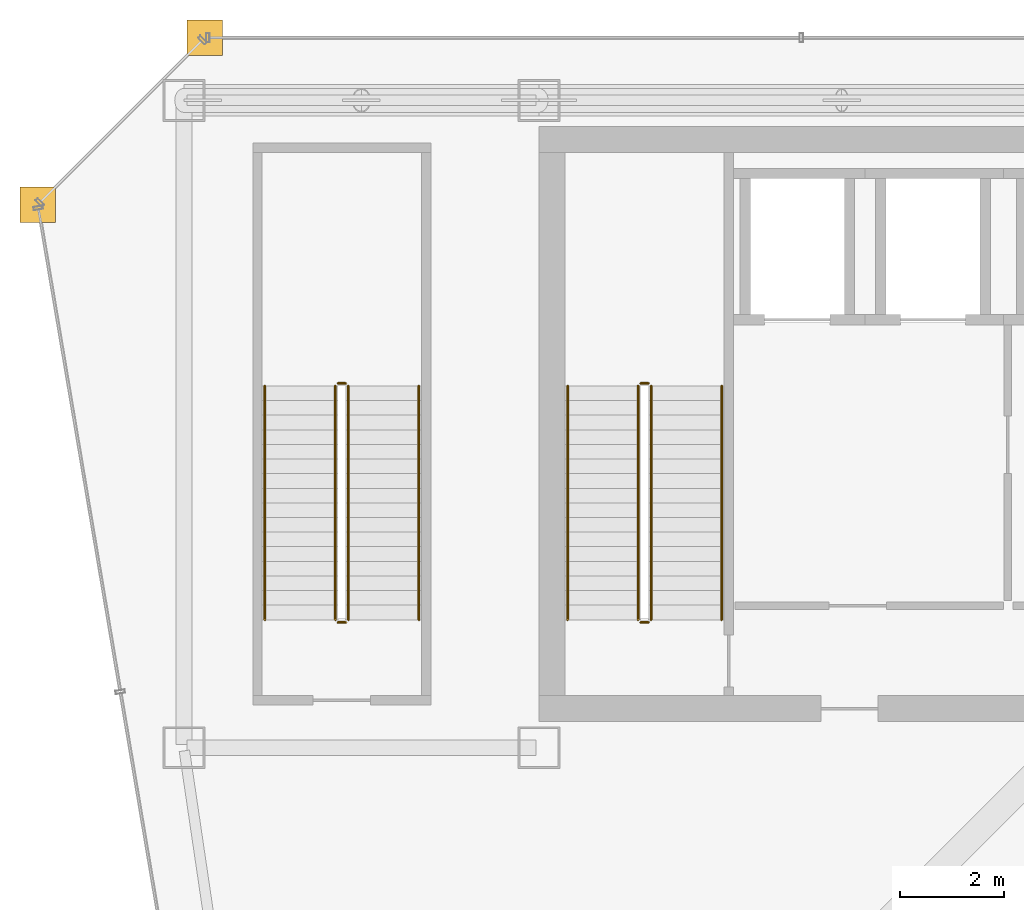
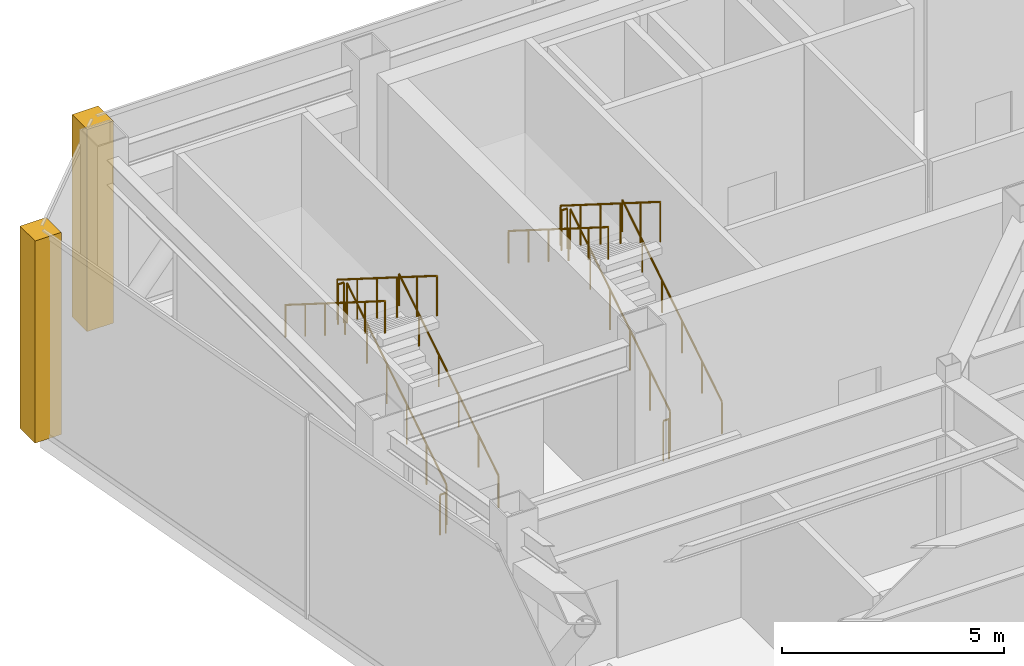
# One storey, part 33 of 34: 12 railings, 2 coverings.
"""IFC4 building model written with IfcOpenShell, lengths in metres."""

from ifc_helpers import new_model, si_unit, direction, frame, origin, origin_2d, place, context, subcontext, project, spatial, polyline, circle, outline, extrude, material, layer, layer_set, type_object, element, save


model = new_model("IFC4")

# Units and contexts
model_context = context("Model", 3, precision=1e-05, world=origin(), true_north=direction((0.0, 1.0)))
body_context = subcontext(model_context, "Body", "Model", "MODEL_VIEW")
ifc_project = project(units=[si_unit("LENGTHUNIT", "METRE"), si_unit("AREAUNIT", "SQUARE_METRE"), si_unit("VOLUMEUNIT", "CUBIC_METRE"), si_unit("PLANEANGLEUNIT", "RADIAN"), si_unit("MASSUNIT", "GRAM", prefix="KILO")], contexts=[model_context])

# Site, building, storey
site_placement = place(None, origin())
site = spatial("IfcSite", under=ifc_project, at=site_placement, CompositionType="ELEMENT")
building_placement = place(site_placement, origin())
building = spatial("IfcBuilding", under=site, at=building_placement, Name="Saevonmaru Cultural Tower", CompositionType="ELEMENT")
storey_placement = place(building_placement, frame((0.0, 0.0, 224.60009765625)))
storey = spatial("IfcBuildingStorey", under=building, at=storey_placement, Name="L52", CompositionType="ELEMENT", Elevation=224.60009765625)

# Coverings
ifc_material_1 = material(Name="Satin Bronze Anodised Aluminium", Category="aluminium")
ifc_layer = layer(ifc_material_1, 0.679931640625, Name="Satin Bronze Anodised Aluminium")
ifc_layer_set = layer_set([ifc_layer], Name="Satin Bronze Anodised Aluminium")
covering_type = type_object("IfcCoveringType", Name="CV-CORNER-CLAD", PredefinedType="CLADDING", material=ifc_layer_set)
covering_1_placement = place(storey_placement, origin())
element("IfcCovering", 1, at=covering_1_placement, inside=storey, type_object=covering_type, Name="L52 Tower Bronze Corner Cladding Pier 11", PredefinedType="CLADDING", context=body_context, shape_type="SweptSolid", body=[
    extrude(outline(polyline([(6.860107421875, 55.659912109375), (7.5400390625, 55.659912109375), (7.5400390625, 56.340087890625), (6.860107421875, 56.340087890625), (6.860107421875, 55.659912109375)])), origin(), (0.0, 0.0, 1.0), 5.5498046875),
])
covering_2_placement = place(storey_placement, origin())
element("IfcCovering", 2, at=covering_2_placement, inside=storey, type_object=covering_type, Name="L52 Tower Bronze Corner Cladding Pier 12", PredefinedType="CLADDING", context=body_context, shape_type="SweptSolid", body=[
    extrude(outline(polyline([(3.659912109375, 52.4599609375), (4.340087890625, 52.4599609375), (4.340087890625, 53.139892578125), (3.659912109375, 53.139892578125), (3.659912109375, 52.4599609375)])), origin(), (0.0, 0.0, 1.0), 5.5498046875),
])

# Railings
ifc_material_2 = material(Name="Architectural Painted Steel", Category="steel")
railing_type_1 = type_object("IfcRailingType", Name="RL-STAIR-GUARD", PredefinedType="GUARDRAIL", material=ifc_material_2)
railing_1_placement = place(storey_placement, frame((15.75, 44.85009765625, 0.17626953125)))
element("IfcRailing", 3, at=railing_1_placement, inside=storey, type_object=railing_type_1, Name="L52 ST-1 stair guard 1", PredefinedType="GUARDRAIL", context=body_context, shape_type="SweptSolid", body=[
    extrude(circle(Radius=0.02392578125, at=origin_2d()), frame((0.0, 0.0, 1.09619140625), z_axis=(0.0, 0.845977142166, 0.533219162196), x_axis=(-1.0, 0.0, 0.0)), (0.0, 0.0, 1.0), 5.295654296875),
    extrude(circle(Radius=0.02099609375, at=origin_2d()), origin(), (0.0, 0.0, 1.0), 1.072021484375),
    extrude(circle(Radius=0.02099609375, at=origin_2d()), frame((0.0, 0.89599609375, 0.564697265625)), (0.0, 0.0, 1.0), 1.072021484375),
    extrude(circle(Radius=0.02099609375, at=origin_2d()), frame((0.0, 1.7919921875, 1.12939453125)), (0.0, 0.0, 1.0), 1.072021484375),
    extrude(circle(Radius=0.02099609375, at=origin_2d()), frame((0.0, 2.68798828125, 1.6943359375)), (0.0, 0.0, 1.0), 1.072021484375),
    extrude(circle(Radius=0.02099609375, at=origin_2d()), frame((0.0, 3.583984375, 2.259033203125)), (0.0, 0.0, 1.0), 1.072021484375),
    extrude(circle(Radius=0.02099609375, at=origin_2d()), frame((0.0, 4.47998046875, 2.82373046875)), (0.0, 0.0, 1.0), 1.072021484375),
])
railing_2_placement = place(storey_placement, frame((15.699951171875, 49.3798828125, 3.0)))
element("IfcRailing", 4, at=railing_2_placement, inside=storey, type_object=railing_type_1, Name="L52 ST-1 stair guard 2", PredefinedType="GUARDRAIL", context=body_context, shape_type="SweptSolid", body=[
    extrude(circle(Radius=0.02392578125, at=origin_2d()), frame((0.0, 0.0, 1.09619140625), z_axis=(-1.0, 0.0, 0.0), x_axis=(0.0, -1.0, 0.0)), (0.0, 0.0, 1.0), 0.14990234375),
    extrude(circle(Radius=0.02099609375, at=origin_2d()), origin(), (0.0, 0.0, 1.0), 1.072021484375),
    extrude(circle(Radius=0.02099609375, at=origin_2d()), frame((-0.14990234375, 0.0, 0.0)), (0.0, 0.0, 1.0), 1.072021484375),
])
railing_3_placement = place(storey_placement, frame((15.5, 49.330078125, 3.17626953125)))
element("IfcRailing", 5, at=railing_3_placement, inside=storey, type_object=railing_type_1, Name="L52 ST-1 stair guard 3", PredefinedType="GUARDRAIL", context=body_context, shape_type="SweptSolid", body=[
    extrude(circle(Radius=0.02392578125, at=origin_2d()), frame((0.0, 0.0, 1.09619140625), z_axis=(0.0, -0.845977142166, 0.533219162196), x_axis=(1.0, 0.0, 0.0)), (0.0, 0.0, 1.0), 5.295654296875),
    extrude(circle(Radius=0.02099609375, at=origin_2d()), origin(), (0.0, 0.0, 1.0), 1.072021484375),
    extrude(circle(Radius=0.02099609375, at=origin_2d()), frame((0.0, -0.89599609375, 0.564697265625)), (0.0, 0.0, 1.0), 1.072021484375),
    extrude(circle(Radius=0.02099609375, at=origin_2d()), frame((0.0, -1.7919921875, 1.12939453125)), (0.0, 0.0, 1.0), 1.072021484375),
    extrude(circle(Radius=0.02099609375, at=origin_2d()), frame((0.0, -2.68798828125, 1.6943359375)), (0.0, 0.0, 1.0), 1.072021484375),
    extrude(circle(Radius=0.02099609375, at=origin_2d()), frame((0.0, -3.583984375, 2.259033203125)), (0.0, 0.0, 1.0), 1.072021484375),
    extrude(circle(Radius=0.02099609375, at=origin_2d()), frame((0.0, -4.47998046875, 2.82373046875)), (0.0, 0.0, 1.0), 1.072021484375),
])
railing_4_placement = place(storey_placement, frame((15.699951171875, 44.800048828125, 0.0)))
element("IfcRailing", 6, at=railing_4_placement, inside=storey, type_object=railing_type_1, Name="L52 ST-1 stair guard 4", PredefinedType="GUARDRAIL", context=body_context, shape_type="SweptSolid", body=[
    extrude(circle(Radius=0.02392578125, at=origin_2d()), frame((0.0, 0.0, 1.09619140625), z_axis=(-1.0, 0.0, 0.0), x_axis=(0.0, -1.0, 0.0)), (0.0, 0.0, 1.0), 0.14990234375),
    extrude(circle(Radius=0.02099609375, at=origin_2d()), origin(), (0.0, 0.0, 1.0), 1.072021484375),
    extrude(circle(Radius=0.02099609375, at=origin_2d()), frame((-0.14990234375, 0.0, 0.0)), (0.0, 0.0, 1.0), 1.072021484375),
])
railing_5_placement = place(storey_placement, frame((9.949951171875, 44.85009765625, 0.17626953125)))
element("IfcRailing", 7, at=railing_5_placement, inside=storey, type_object=railing_type_1, Name="L52 ST-3 stair guard 1", PredefinedType="GUARDRAIL", context=body_context, shape_type="SweptSolid", body=[
    extrude(circle(Radius=0.02392578125, at=origin_2d()), frame((0.0, 0.0, 1.09619140625), z_axis=(0.0, 0.845977142166, 0.533219162196), x_axis=(-1.0, 0.0, 0.0)), (0.0, 0.0, 1.0), 5.295654296875),
    extrude(circle(Radius=0.02099609375, at=origin_2d()), origin(), (0.0, 0.0, 1.0), 1.072021484375),
    extrude(circle(Radius=0.02099609375, at=origin_2d()), frame((0.0, 0.89599609375, 0.564697265625)), (0.0, 0.0, 1.0), 1.072021484375),
    extrude(circle(Radius=0.02099609375, at=origin_2d()), frame((0.0, 1.7919921875, 1.12939453125)), (0.0, 0.0, 1.0), 1.072021484375),
    extrude(circle(Radius=0.02099609375, at=origin_2d()), frame((0.0, 2.68798828125, 1.6943359375)), (0.0, 0.0, 1.0), 1.072021484375),
    extrude(circle(Radius=0.02099609375, at=origin_2d()), frame((0.0, 3.583984375, 2.259033203125)), (0.0, 0.0, 1.0), 1.072021484375),
    extrude(circle(Radius=0.02099609375, at=origin_2d()), frame((0.0, 4.47998046875, 2.82373046875)), (0.0, 0.0, 1.0), 1.072021484375),
])
railing_6_placement = place(storey_placement, frame((9.89990234375, 49.3798828125, 3.0)))
element("IfcRailing", 8, at=railing_6_placement, inside=storey, type_object=railing_type_1, Name="L52 ST-3 stair guard 2", PredefinedType="GUARDRAIL", context=body_context, shape_type="SweptSolid", body=[
    extrude(circle(Radius=0.02392578125, at=origin_2d()), frame((0.0, 0.0, 1.09619140625), z_axis=(-1.0, 0.0, 0.0), x_axis=(0.0, -1.0, 0.0)), (0.0, 0.0, 1.0), 0.14990234375),
    extrude(circle(Radius=0.02099609375, at=origin_2d()), origin(), (0.0, 0.0, 1.0), 1.072021484375),
    extrude(circle(Radius=0.02099609375, at=origin_2d()), frame((-0.14990234375, 0.0, 0.0)), (0.0, 0.0, 1.0), 1.072021484375),
])
railing_7_placement = place(storey_placement, frame((9.699951171875, 49.330078125, 3.17626953125)))
element("IfcRailing", 9, at=railing_7_placement, inside=storey, type_object=railing_type_1, Name="L52 ST-3 stair guard 3", PredefinedType="GUARDRAIL", context=body_context, shape_type="SweptSolid", body=[
    extrude(circle(Radius=0.02392578125, at=origin_2d()), frame((0.0, 0.0, 1.09619140625), z_axis=(0.0, -0.845977142166, 0.533219162196), x_axis=(1.0, 0.0, 0.0)), (0.0, 0.0, 1.0), 5.295654296875),
    extrude(circle(Radius=0.02099609375, at=origin_2d()), origin(), (0.0, 0.0, 1.0), 1.072021484375),
    extrude(circle(Radius=0.02099609375, at=origin_2d()), frame((0.0, -0.89599609375, 0.564697265625)), (0.0, 0.0, 1.0), 1.072021484375),
    extrude(circle(Radius=0.02099609375, at=origin_2d()), frame((0.0, -1.7919921875, 1.12939453125)), (0.0, 0.0, 1.0), 1.072021484375),
    extrude(circle(Radius=0.02099609375, at=origin_2d()), frame((0.0, -2.68798828125, 1.6943359375)), (0.0, 0.0, 1.0), 1.072021484375),
    extrude(circle(Radius=0.02099609375, at=origin_2d()), frame((0.0, -3.583984375, 2.259033203125)), (0.0, 0.0, 1.0), 1.072021484375),
    extrude(circle(Radius=0.02099609375, at=origin_2d()), frame((0.0, -4.47998046875, 2.82373046875)), (0.0, 0.0, 1.0), 1.072021484375),
])
railing_8_placement = place(storey_placement, frame((9.89990234375, 44.800048828125, 0.0)))
element("IfcRailing", 10, at=railing_8_placement, inside=storey, type_object=railing_type_1, Name="L52 ST-3 stair guard 4", PredefinedType="GUARDRAIL", context=body_context, shape_type="SweptSolid", body=[
    extrude(circle(Radius=0.02392578125, at=origin_2d()), frame((0.0, 0.0, 1.09619140625), z_axis=(-1.0, 0.0, 0.0), x_axis=(0.0, -1.0, 0.0)), (0.0, 0.0, 1.0), 0.14990234375),
    extrude(circle(Radius=0.02099609375, at=origin_2d()), origin(), (0.0, 0.0, 1.0), 1.072021484375),
    extrude(circle(Radius=0.02099609375, at=origin_2d()), frame((-0.14990234375, 0.0, 0.0)), (0.0, 0.0, 1.0), 1.072021484375),
])
railing_type_2 = type_object("IfcRailingType", Name="RL-STAIR-HANDRAIL", PredefinedType="HANDRAIL", material=ifc_material_1)
railing_9_placement = place(storey_placement, frame((17.10009765625, 44.85009765625, 0.17626953125)))
element("IfcRailing", 11, at=railing_9_placement, inside=storey, type_object=railing_type_2, Name="L52 ST-1 stair handrail 1", PredefinedType="HANDRAIL", context=body_context, shape_type="SweptSolid", body=[
    extrude(circle(Radius=0.02392578125, at=origin_2d()), frame((0.0, 0.0, 0.8759765625), z_axis=(0.0, 0.845977142166, 0.533219162196), x_axis=(-1.0, 0.0, 0.0)), (0.0, 0.0, 1.0), 5.295654296875),
    extrude(circle(Radius=0.02099609375, at=origin_2d()), origin(), (0.0, 0.0, 1.0), 0.851806640625),
    extrude(circle(Radius=0.02099609375, at=origin_2d()), frame((0.0, 0.89599609375, 0.564697265625)), (0.0, 0.0, 1.0), 0.851806640625),
    extrude(circle(Radius=0.02099609375, at=origin_2d()), frame((0.0, 1.7919921875, 1.12939453125)), (0.0, 0.0, 1.0), 0.851806640625),
    extrude(circle(Radius=0.02099609375, at=origin_2d()), frame((0.0, 2.68798828125, 1.6943359375)), (0.0, 0.0, 1.0), 0.851806640625),
    extrude(circle(Radius=0.02099609375, at=origin_2d()), frame((0.0, 3.583984375, 2.259033203125)), (0.0, 0.0, 1.0), 0.851806640625),
    extrude(circle(Radius=0.02099609375, at=origin_2d()), frame((0.0, 4.47998046875, 2.82373046875)), (0.0, 0.0, 1.0), 0.851806640625),
])
railing_10_placement = place(storey_placement, frame((14.14990234375, 49.330078125, 3.17626953125)))
element("IfcRailing", 12, at=railing_10_placement, inside=storey, type_object=railing_type_2, Name="L52 ST-1 stair handrail 2", PredefinedType="HANDRAIL", context=body_context, shape_type="SweptSolid", body=[
    extrude(circle(Radius=0.02392578125, at=origin_2d()), frame((0.0, 0.0, 0.8759765625), z_axis=(0.0, -0.845977142166, 0.533219162196), x_axis=(1.0, 0.0, 0.0)), (0.0, 0.0, 1.0), 5.295654296875),
    extrude(circle(Radius=0.02099609375, at=origin_2d()), origin(), (0.0, 0.0, 1.0), 0.851806640625),
    extrude(circle(Radius=0.02099609375, at=origin_2d()), frame((0.0, -0.89599609375, 0.564697265625)), (0.0, 0.0, 1.0), 0.851806640625),
    extrude(circle(Radius=0.02099609375, at=origin_2d()), frame((0.0, -1.7919921875, 1.12939453125)), (0.0, 0.0, 1.0), 0.851806640625),
    extrude(circle(Radius=0.02099609375, at=origin_2d()), frame((0.0, -2.68798828125, 1.6943359375)), (0.0, 0.0, 1.0), 0.851806640625),
    extrude(circle(Radius=0.02099609375, at=origin_2d()), frame((0.0, -3.583984375, 2.259033203125)), (0.0, 0.0, 1.0), 0.851806640625),
    extrude(circle(Radius=0.02099609375, at=origin_2d()), frame((0.0, -4.47998046875, 2.82373046875)), (0.0, 0.0, 1.0), 0.851806640625),
])
railing_11_placement = place(storey_placement, frame((11.300048828125, 44.85009765625, 0.17626953125)))
element("IfcRailing", 13, at=railing_11_placement, inside=storey, type_object=railing_type_2, Name="L52 ST-3 stair handrail 1", PredefinedType="HANDRAIL", context=body_context, shape_type="SweptSolid", body=[
    extrude(circle(Radius=0.02392578125, at=origin_2d()), frame((0.0, 0.0, 0.8759765625), z_axis=(0.0, 0.845977142166, 0.533219162196), x_axis=(-1.0, 0.0, 0.0)), (0.0, 0.0, 1.0), 5.295654296875),
    extrude(circle(Radius=0.02099609375, at=origin_2d()), origin(), (0.0, 0.0, 1.0), 0.851806640625),
    extrude(circle(Radius=0.02099609375, at=origin_2d()), frame((0.0, 0.89599609375, 0.564697265625)), (0.0, 0.0, 1.0), 0.851806640625),
    extrude(circle(Radius=0.02099609375, at=origin_2d()), frame((0.0, 1.7919921875, 1.12939453125)), (0.0, 0.0, 1.0), 0.851806640625),
    extrude(circle(Radius=0.02099609375, at=origin_2d()), frame((0.0, 2.68798828125, 1.6943359375)), (0.0, 0.0, 1.0), 0.851806640625),
    extrude(circle(Radius=0.02099609375, at=origin_2d()), frame((0.0, 3.583984375, 2.259033203125)), (0.0, 0.0, 1.0), 0.851806640625),
    extrude(circle(Radius=0.02099609375, at=origin_2d()), frame((0.0, 4.47998046875, 2.82373046875)), (0.0, 0.0, 1.0), 0.851806640625),
])
railing_12_placement = place(storey_placement, frame((8.35009765625, 49.330078125, 3.17626953125)))
element("IfcRailing", 14, at=railing_12_placement, inside=storey, type_object=railing_type_2, Name="L52 ST-3 stair handrail 2", PredefinedType="HANDRAIL", context=body_context, shape_type="SweptSolid", body=[
    extrude(circle(Radius=0.02392578125, at=origin_2d()), frame((0.0, 0.0, 0.8759765625), z_axis=(0.0, -0.845977142166, 0.533219162196), x_axis=(1.0, 0.0, 0.0)), (0.0, 0.0, 1.0), 5.295654296875),
    extrude(circle(Radius=0.02099609375, at=origin_2d()), origin(), (0.0, 0.0, 1.0), 0.851806640625),
    extrude(circle(Radius=0.02099609375, at=origin_2d()), frame((0.0, -0.89599609375, 0.564697265625)), (0.0, 0.0, 1.0), 0.851806640625),
    extrude(circle(Radius=0.02099609375, at=origin_2d()), frame((0.0, -1.7919921875, 1.12939453125)), (0.0, 0.0, 1.0), 0.851806640625),
    extrude(circle(Radius=0.02099609375, at=origin_2d()), frame((0.0, -2.68798828125, 1.6943359375)), (0.0, 0.0, 1.0), 0.851806640625),
    extrude(circle(Radius=0.02099609375, at=origin_2d()), frame((0.0, -3.583984375, 2.259033203125)), (0.0, 0.0, 1.0), 0.851806640625),
    extrude(circle(Radius=0.02099609375, at=origin_2d()), frame((0.0, -4.47998046875, 2.82373046875)), (0.0, 0.0, 1.0), 0.851806640625),
])

save(model, "model.ifc")
